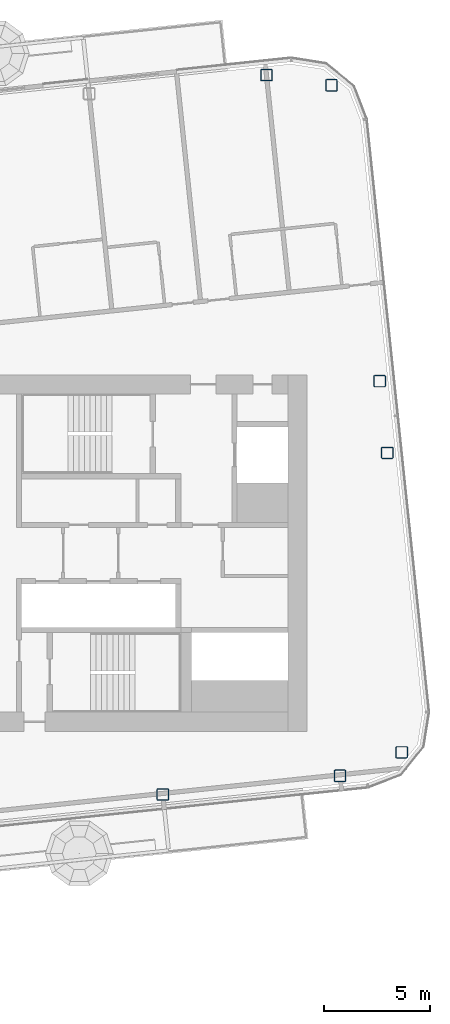
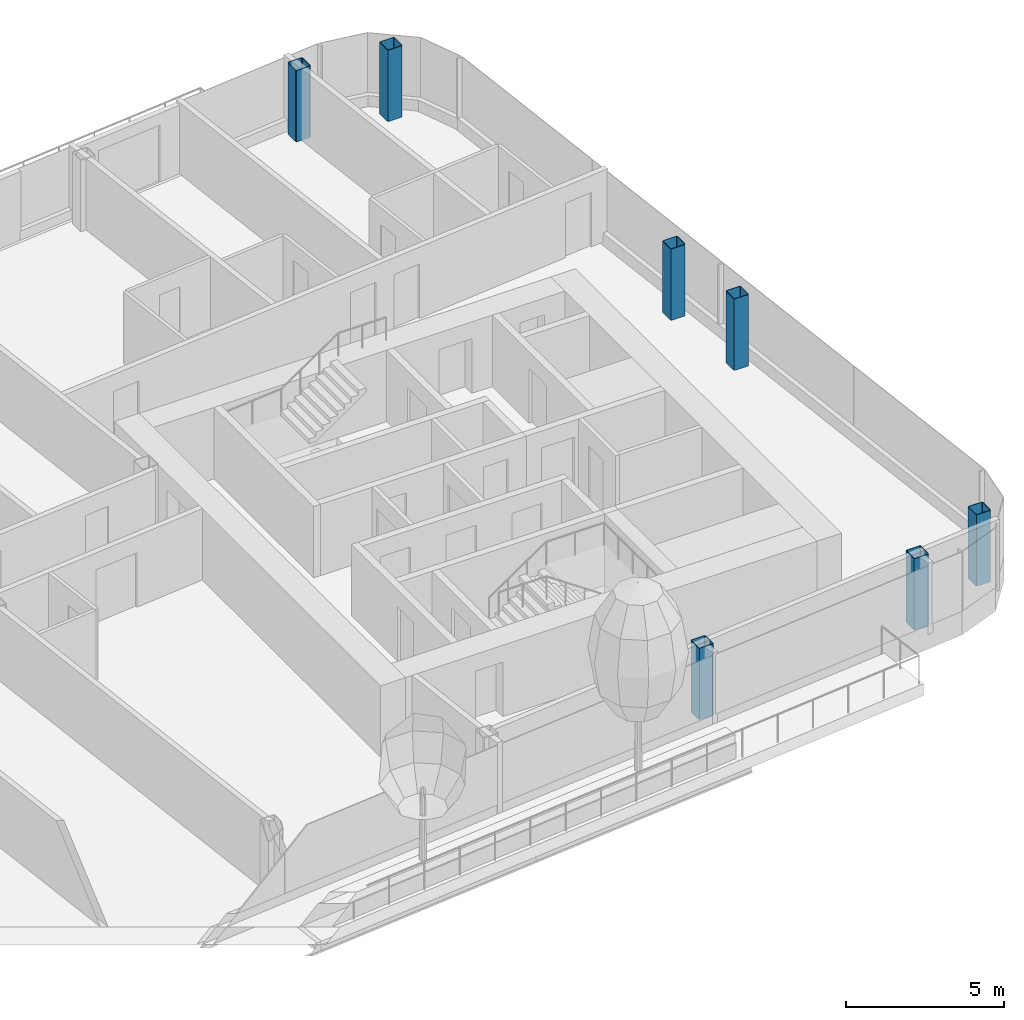
# One storey, part 2 of 29: 7 columns.
"""IFC4 building model written with IfcOpenShell, lengths in metres."""

from ifc_helpers import new_model, si_unit, direction, frame, origin, origin_2d, place, context, subcontext, project, spatial, hollow_rectangle, extrude, material, material_profile, profile_set, type_object, element, save


model = new_model("IFC4")

# Units and contexts
model_context = context("Model", 3, precision=1e-05, world=origin(), true_north=direction((0.0, 1.0)))
body_context = subcontext(model_context, "Body", "Model", "MODEL_VIEW")
ifc_project = project(units=[si_unit("LENGTHUNIT", "METRE"), si_unit("AREAUNIT", "SQUARE_METRE"), si_unit("VOLUMEUNIT", "CUBIC_METRE"), si_unit("PLANEANGLEUNIT", "RADIAN"), si_unit("MASSUNIT", "GRAM", prefix="KILO")], contexts=[model_context])

# Site, building, storey
site_placement = place(None, origin())
site = spatial("IfcSite", under=ifc_project, at=site_placement, CompositionType="ELEMENT")
building_placement = place(site_placement, origin())
building = spatial("IfcBuilding", under=site, at=building_placement, Name="Hakoniwa Tower and Hamabe Station Hall", CompositionType="ELEMENT")
storey_placement = place(building_placement, frame((0.0, 0.0, 258.199951171875)))
storey = spatial("IfcBuildingStorey", under=building, at=storey_placement, Name="L73", CompositionType="ELEMENT", Elevation=258.199951171875)

# Columns
ifc_material = material(Name="Steel BCP325", Category="steel")
ifc_material_profile = material_profile(ifc_material, hollow_rectangle(XDim=0.550048828125, YDim=0.550048828125, WallThickness=0.02197265625, InnerFilletRadius=0.032958984375, OuterFilletRadius=0.054931640625, at=origin_2d()), Name="BCP-550x550x22")
ifc_profile_set = profile_set([ifc_material_profile], Name="Steel BCP325")
column_type = type_object("IfcColumnType", Name="COLUMN BCP-550x550x22", PredefinedType="COLUMN", material=ifc_profile_set)
for number, where, z_axis, x_axis, name in (
    (1, (26.797119140625, -11.375, 0.0), (0.0, 0.0, 1.0), (1.0, 0.0, 0.0), "Column B5-10-A5"),
    (2, (35.151123046875, -10.496826171875, 0.0), (0.0, 0.0, 1.0), (1.0, 0.0, 0.0), "Column B5-11-A5"),
    (3, (31.680908203125, 22.521240234375, 0.0), (0.0, 0.0, 1.0), (1.0, 0.0, 0.0), "Column B5-11-F5"),
    (4, (38.054443359375, -9.390380859375, 0.0), (0.0, 0.0, 1.0), (1.0, 0.0, 0.0), "Column B5-EE-A5"),
    (5, (37.372802734375, 4.71875, 0.0), (0.0, 0.0, 1.0), (1.0, 0.0, 0.0), "Column B5-EE-C5"),
    (6, (37.017333984375, 8.10009765625, 0.0), (0.0, 0.0, 1.0), (1.0, 0.0, 0.0), "Column B5-EE-D5"),
    (7, (34.750732421875, 22.04248046875, 0.0), (0.0, 0.0, 1.0), (1.0, 0.0, 0.0), "Column B5-EE-F5"),
):
    element("IfcColumn", number, at=place(storey_placement, frame(where, z_axis=z_axis, x_axis=x_axis)), inside=storey, type_object=column_type, Name=name, PredefinedType="COLUMN", context=body_context, shape_type="SweptSolid", body=[
        extrude(hollow_rectangle(XDim=0.550048828125, YDim=0.550048828125, WallThickness=0.02197265625, InnerFilletRadius=0.032958984375, OuterFilletRadius=0.054931640625, at=origin_2d()), origin(), (0.0, 0.0, 1.0), 2.75),
    ])

save(model, "model.ifc")
